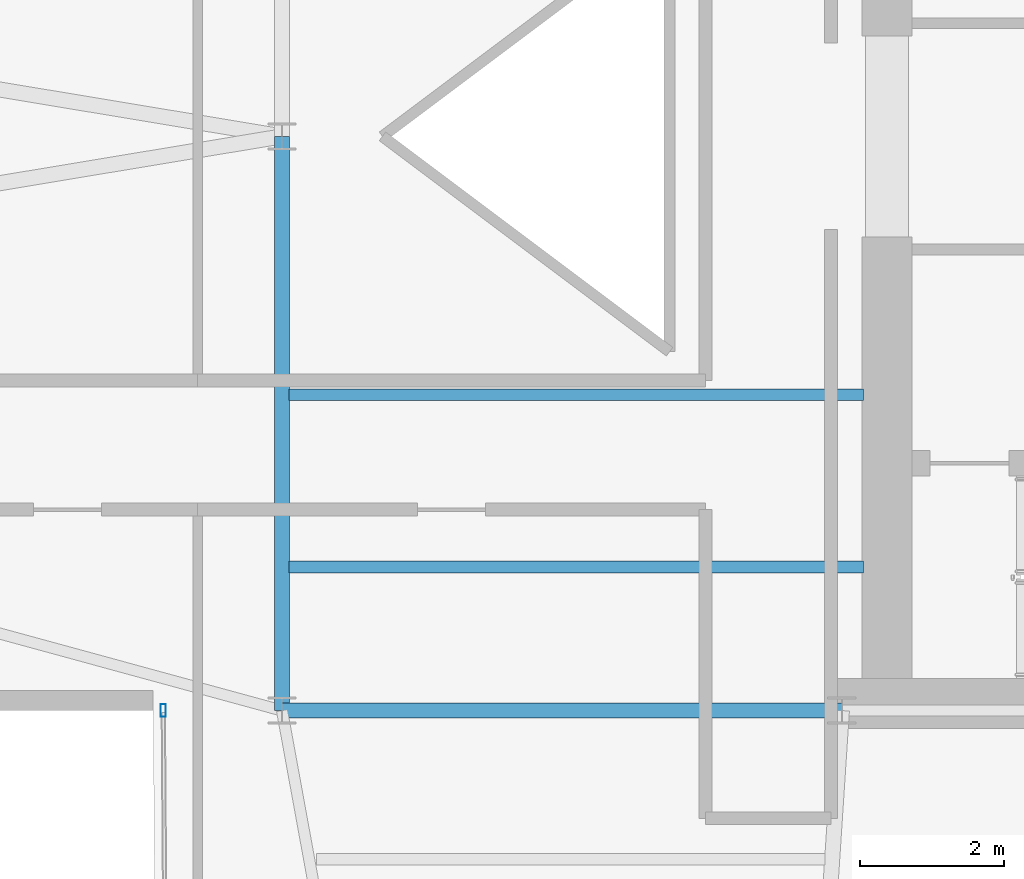
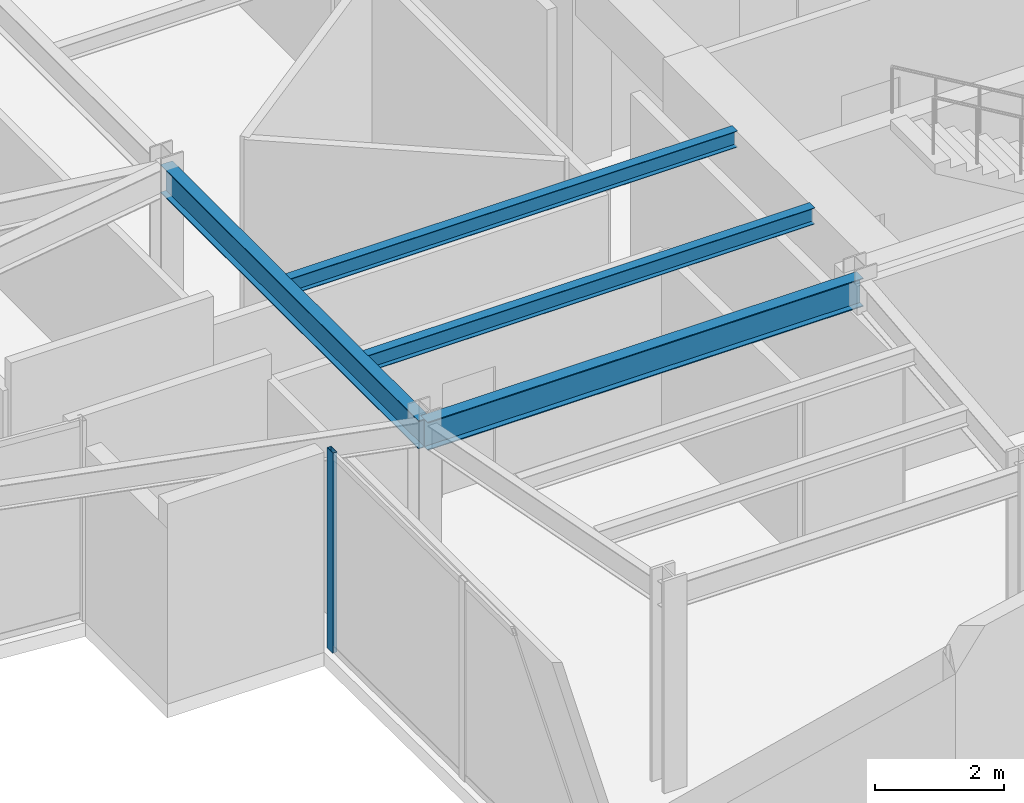
# One storey, part 8 of 23: 4 beams, 1 member, 1 element without a shape of its own.
"""IFC4 building model written with IfcOpenShell, lengths in metres."""

from ifc_helpers import new_model, si_unit, direction, frame, origin, origin_2d, place, context, subcontext, project, spatial, hollow_rectangle, i_section, extrude, material, layer, layer_set, material_profile, profile_set, type_object, element, aggregate, save


model = new_model("IFC4")

# Units and contexts
model_context = context("Model", 3, precision=1e-05, world=origin(), true_north=direction((0.0, 1.0)))
body_context = subcontext(model_context, "Body", "Model", "MODEL_VIEW")
ifc_project = project(units=[si_unit("LENGTHUNIT", "METRE"), si_unit("AREAUNIT", "SQUARE_METRE"), si_unit("VOLUMEUNIT", "CUBIC_METRE"), si_unit("PLANEANGLEUNIT", "RADIAN"), si_unit("MASSUNIT", "GRAM", prefix="KILO")], contexts=[model_context])

# Site, building, storey
site_placement = place(None, origin())
site = spatial("IfcSite", under=ifc_project, at=site_placement, CompositionType="ELEMENT")
building_placement = place(site_placement, origin())
building = spatial("IfcBuilding", under=site, at=building_placement, Name="Veymaron Broadcast Tower", CompositionType="ELEMENT")
storey_placement = place(building_placement, frame((0.0, 0.0, 195.89990234375)))
storey = spatial("IfcBuildingStorey", under=building, at=storey_placement, Name="L45", CompositionType="ELEMENT", Elevation=195.89990234375)

# Beams
ifc_material_1 = material(Name="Structural steel ASTM A992 Gr 50", Category="steel")
ifc_material_profile_1 = material_profile(ifc_material_1, i_section(OverallWidth=0.2099609375, OverallDepth=0.537109375, WebThickness=0.010986328125, FlangeThickness=0.017333984375, at=origin_2d()), Name="W530X101")
ifc_profile_set_1 = profile_set([ifc_material_profile_1], Name="Structural steel ASTM A992 Gr 50")
beam_type_1 = type_object("IfcBeamType", Name="BM-FG3", PredefinedType="BEAM", material=ifc_profile_set_1)
beam_1_placement = place(storey_placement, frame((31.199951171875, 16.0, 3.521484375), z_axis=(0.0, 1.0, 0.0), x_axis=(-1.0, 0.0, 0.0)))
element("IfcBeam", 1, at=beam_1_placement, inside=storey, type_object=beam_type_1, Name="L45 primary structural floor girder", PredefinedType="BEAM", context=body_context, shape_type="SweptSolid", body=[
    extrude(i_section(OverallWidth=0.2099609375, OverallDepth=0.537109375, WebThickness=0.010986328125, FlangeThickness=0.017333984375, at=origin_2d()), origin(), (0.0, 0.0, 1.0), 8.0),
])
beam_2_placement = place(storey_placement, frame((31.199951171875, 16.0, 3.521484375), z_axis=(1.0, 0.0, 0.0), x_axis=(0.0, 1.0, 0.0)))
element("IfcBeam", 2, at=beam_2_placement, inside=storey, type_object=beam_type_1, Name="L45 primary structural floor girder", PredefinedType="BEAM", context=body_context, shape_type="SweptSolid", body=[
    extrude(i_section(OverallWidth=0.2099609375, OverallDepth=0.537109375, WebThickness=0.010986328125, FlangeThickness=0.017333984375, at=origin_2d()), origin(), (0.0, 0.0, 1.0), 7.800048828125),
])
ifc_material_profile_2 = material_profile(ifc_material_1, i_section(OverallWidth=0.1650390625, OverallDepth=0.31005859375, WebThickness=0.005859375, FlangeThickness=0.009765625, at=origin_2d()), Name="W310X39")
ifc_profile_set_2 = profile_set([ifc_material_profile_2], Name="Structural steel ASTM A992 Gr 50")
beam_type_2 = type_object("IfcBeamType", Name="BM-JS3", PredefinedType="JOIST", material=ifc_profile_set_2)
for number, where, z_axis, x_axis, name in (
    (3, (31.300048828125, 18.0, 3.635009765625), (1.0, 0.0, 0.0), (0.0, 1.0, 0.0), "L45 Hub secondary joist 1"),
    (4, (31.300048828125, 20.39990234375, 3.635009765625), (1.0, 0.0, 0.0), (0.0, 1.0, 0.0), "L45 Hub secondary joist 2"),
):
    element("IfcBeam", number, at=place(storey_placement, frame(where, z_axis=z_axis, x_axis=x_axis)), inside=storey, type_object=beam_type_2, Name=name, PredefinedType="JOIST", context=body_context, shape_type="SweptSolid", body=[
        extrude(i_section(OverallWidth=0.1650390625, OverallDepth=0.31005859375, WebThickness=0.005859375, FlangeThickness=0.009765625, at=origin_2d()), origin(), (0.0, 0.0, 1.0), 8.0),
    ])

# Curtain wall, member
ifc_material_2 = material(Name="Anodised aluminium AA 6063-T6 and laminated low-E dark glass", Category="aluminium")
ifc_layer = layer(ifc_material_2, 0.179931640625)
ifc_layer_set = layer_set([ifc_layer], Name="Anodised aluminium AA 6063-T6 and laminated low-E dark glass")
curtain_wall_type = type_object("IfcCurtainWallType", Name="CW-SYS-05", PredefinedType="NOTDEFINED", material=ifc_layer_set)
curtain_wall_placement = place(storey_placement, origin())
curtain_wall = element("IfcCurtainWall", 5, at=curtain_wall_placement, inside=storey, type_object=curtain_wall_type, Name="L45 dark-glass curtain wall CW-L45-E17-1", PredefinedType="NOTDEFINED")
ifc_material_3 = material(Name="Anodised aluminium AA 6063-T6", Category="aluminium")
ifc_material_profile_3 = material_profile(ifc_material_3, hollow_rectangle(XDim=0.074951171875, YDim=0.179931640625, WallThickness=0.0048828125, at=origin_2d()), Name="AL180X75X5")
ifc_profile_set_3 = profile_set([ifc_material_profile_3], Name="Anodised aluminium AA 6063-T6")
member_type = type_object("IfcMemberType", Name="CW-MUL-02", PredefinedType="MULLION", material=ifc_profile_set_3)
member_placement = place(storey_placement, frame((29.545654296875, 16.0009765625, 0.0), z_axis=(0.0, 0.0, 1.0), x_axis=(1.0, 0.0, 0.0)))
member = element("IfcMember", 6, at=member_placement, type_object=member_type, Name="CW-L45-E17-1 mullion 0", PredefinedType="MULLION", context=body_context, shape_type="SweptSolid", body=[
    extrude(hollow_rectangle(XDim=0.074951171875, YDim=0.179931640625, WallThickness=0.0048828125, at=origin_2d()), origin(), (0.0, 0.0, 1.0), 3.7900390625),
])
aggregate(curtain_wall, [member])

save(model, "model.ifc")
